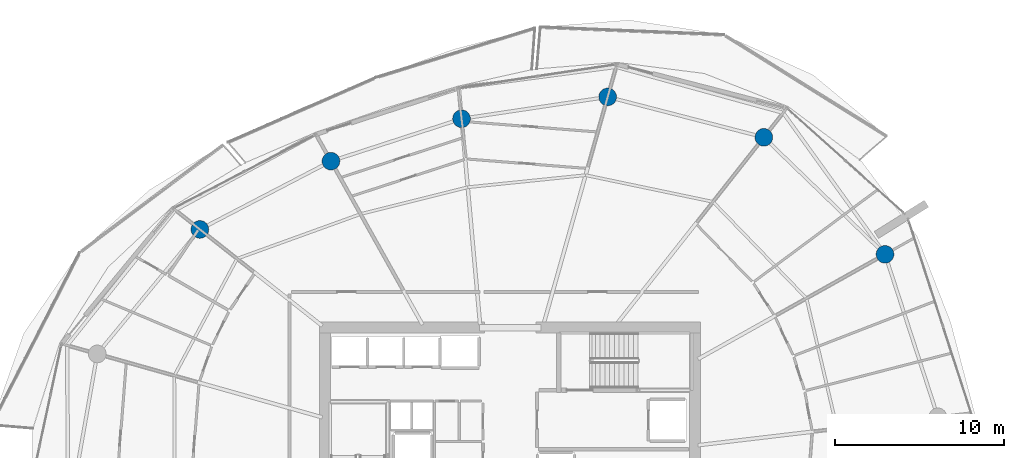
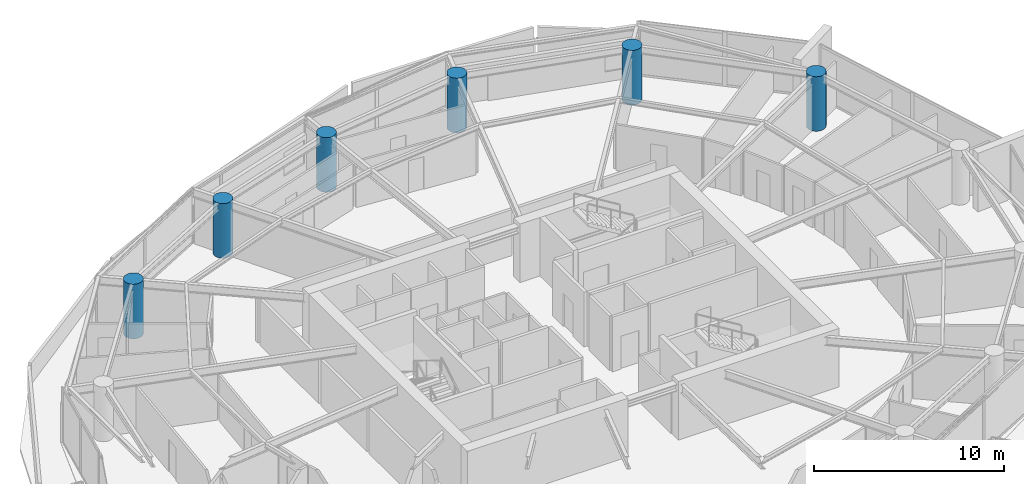
# One storey, part 4 of 21: 6 columns.
"""IFC4 building model written with IfcOpenShell, lengths in metres."""

from ifc_helpers import new_model, si_unit, direction, frame, origin, origin_2d, place, context, subcontext, project, spatial, circle, extrude, material, material_profile, profile_set, type_object, element, save


model = new_model("IFC4")

# Units and contexts
model_context = context("Model", 3, precision=1e-05, world=origin(), true_north=direction((0.0, 1.0)))
body_context = subcontext(model_context, "Body", "Model", "MODEL_VIEW")
ifc_project = project(units=[si_unit("LENGTHUNIT", "METRE"), si_unit("AREAUNIT", "SQUARE_METRE"), si_unit("VOLUMEUNIT", "CUBIC_METRE"), si_unit("PLANEANGLEUNIT", "RADIAN"), si_unit("MASSUNIT", "GRAM", prefix="KILO")], contexts=[model_context])

# Site, building, storey
site_placement = place(None, origin())
site = spatial("IfcSite", under=ifc_project, at=site_placement, CompositionType="ELEMENT")
building_placement = place(site_placement, origin())
building = spatial("IfcBuilding", under=site, at=building_placement, Name="Kazma Halo Residences", CompositionType="ELEMENT")
storey_placement = place(building_placement, frame((0.0, 0.0, 191.550048828125)))
storey = spatial("IfcBuildingStorey", under=building, at=storey_placement, Name="L48", CompositionType="ELEMENT", Elevation=191.550048828125)

# Columns
ifc_material = material(Name="Concrete C80/95", Category="concrete")
ifc_material_profile = material_profile(ifc_material, circle(Radius=0.52490234375, at=origin_2d()), Name="CIRC1050")
ifc_profile_set = profile_set([ifc_material_profile], Name="Concrete C80/95")
column_type = type_object("IfcColumnType", Name="COL-PERIM-1050", PredefinedType="COLUMN", material=ifc_profile_set)
for number, where, z_axis, x_axis, name in (
    (1, (70.625, 54.670654296875, 0.0), (0.0, 0.0, 1.0), (1.0, 0.0, 0.0), "L48 perimeter ring column P01"),
    (2, (63.45068359375, 61.598876953125, 0.0), (0.0, 0.0, 1.0), (1.0, 0.0, 0.0), "L48 perimeter ring column P02"),
    (3, (54.202392578125, 63.99169921875, 0.0), (0.0, 0.0, 1.0), (1.0, 0.0, 0.0), "L48 perimeter ring column P03"),
    (4, (45.550048828125, 62.69970703125, 0.0), (0.0, 0.0, 1.0), (1.0, 0.0, 0.0), "L48 perimeter ring column P04"),
    (5, (37.815185546875, 60.186279296875, 0.0), (0.0, 0.0, 1.0), (1.0, 0.0, 0.0), "L48 perimeter ring column P05"),
    (6, (30.055908203125, 56.14599609375, 0.0), (0.0, 0.0, 1.0), (1.0, 0.0, 0.0), "L48 perimeter ring column P06"),
):
    element("IfcColumn", number, at=place(storey_placement, frame(where, z_axis=z_axis, x_axis=x_axis)), inside=storey, type_object=column_type, Name=name, PredefinedType="COLUMN", context=body_context, shape_type="SweptSolid", body=[
        extrude(circle(Radius=0.52490234375, at=origin_2d()), origin(), (0.0, 0.0, 1.0), 3.5),
    ])

save(model, "model.ifc")
